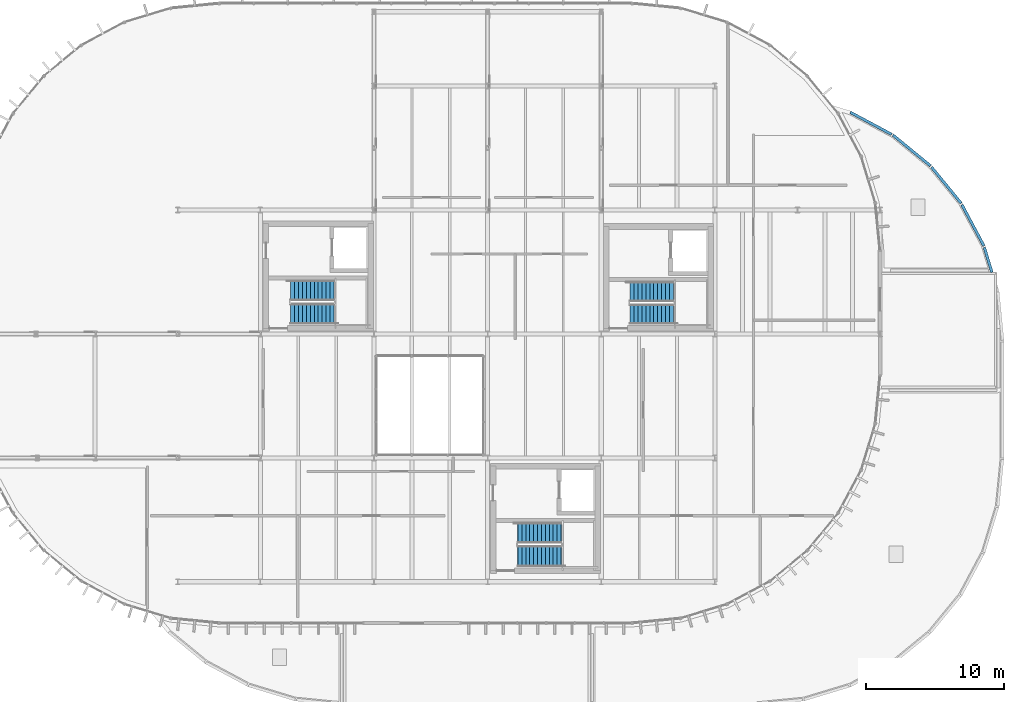
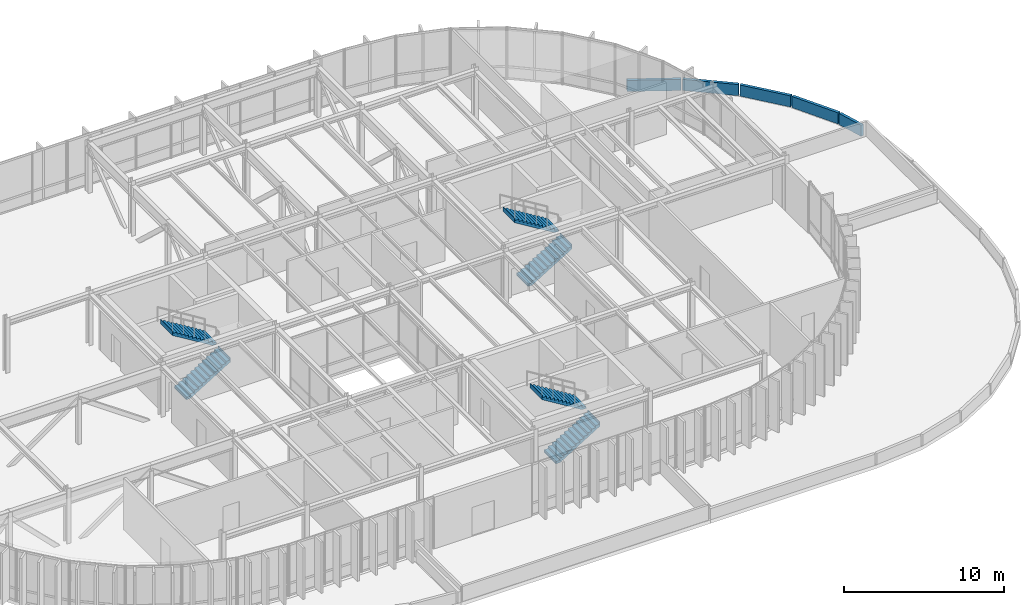
# One storey, part 24 of 29: 6 stair flights, 5 walls, 3 elements without a shape of their own.
"""IFC4 building model written with IfcOpenShell, lengths in metres."""

import ifcopenshell
import ifcopenshell.guid

model = None  # the IFC model being written
_history = None  # IfcOwnerHistory: only IFC2X3 demands one
_inside = {}  # id of a spatial element -> (the spatial element, [elements in it])
_under = {}  # id of a project, library or spatial element -> (it, [spatial elements below it])
_declared = {}  # id of a project -> (the project, [libraries it declares])
_typed = {}  # id of a type object -> (the type object, [elements of that type])
_made_of = {}  # id of a material, layer set ... -> (it, [elements and type objects made of it])


def new_model(schema):
    """Start an empty IFC model of exactly this schema.

    Asked for "IFC4X3", IfcOpenShell would pick the latest addendum, in which some entities
    have other attributes; the version numbers below select the first issue.
    IFC2X3 requires an IfcOwnerHistory on every rooted entity: one is made here for all.
    """
    global model, _history
    if schema == "IFC4X3":
        model = ifcopenshell.file(schema_version=(4, 3, 0, 0))
    else:
        model = ifcopenshell.file(schema=schema)
    _inside.clear()
    _under.clear()
    _declared.clear()
    _typed.clear()
    _made_of.clear()
    _history = None
    if model.schema == "IFC2X3":
        org = make("IfcOrganization", Name="unknown")
        user = make(
            "IfcPersonAndOrganization",
            ThePerson=make("IfcPerson", FamilyName="unknown"),
            TheOrganization=org,
        )
        app = make(
            "IfcApplication",
            ApplicationDeveloper=org,
            Version="unknown",
            ApplicationFullName="unknown",
            ApplicationIdentifier="unknown",
        )
        _history = make(
            "IfcOwnerHistory",
            OwningUser=user,
            OwningApplication=app,
            ChangeAction="ADDED",
            CreationDate=0,
        )
    return model


def make(cls, **values):
    """One entity of the class cls with the attributes given. An attribute that is None is left unset."""
    return model.create_entity(
        cls, **{name: value for name, value in values.items() if value is not None}
    )


def rooted(cls, **values):
    """An entity with a GlobalId (a new one), such as an element, a storey or a relation."""
    return make(cls, GlobalId=ifcopenshell.guid.new(), OwnerHistory=_history, **values)


def si_unit(unit_type, name, prefix=None):
    """IfcSIUnit, for example si_unit("LENGTHUNIT", "METRE", prefix="MILLI")."""
    return make("IfcSIUnit", UnitType=unit_type, Prefix=prefix, Name=name)


def assignment(units):
    """IfcUnitAssignment: the units of a project."""
    return None if units is None else make("IfcUnitAssignment", Units=units)


def point(xyz):
    """IfcCartesianPoint."""
    return None if xyz is None else make("IfcCartesianPoint", Coordinates=xyz)


def direction(xyz):
    """IfcDirection."""
    return None if xyz is None else make("IfcDirection", DirectionRatios=xyz)


def frame(location, z_axis=None, x_axis=None):
    """IfcAxis2Placement3D, a coordinate frame: its origin and axes. An axis left out is left unset."""
    return make(
        "IfcAxis2Placement3D",
        Location=point(location),
        Axis=direction(z_axis),
        RefDirection=direction(x_axis),
    )


def frame_2d(location, x_axis=None):
    """IfcAxis2Placement2D, a coordinate frame in the plane: its origin and x axis."""
    return make(
        "IfcAxis2Placement2D", Location=point(location), RefDirection=direction(x_axis)
    )


def origin():
    """The frame at (0, 0, 0) with its axes left unset."""
    return frame((0.0, 0.0, 0.0))


def place(relative_to, where):
    """IfcLocalPlacement: puts the frame where relative to a parent placement (None: the world)."""
    return make(
        "IfcLocalPlacement", PlacementRelTo=relative_to, RelativePlacement=where
    )


def context(
    kind, dimensions, precision=None, world=None, true_north=None, identifier=None
):
    """IfcGeometricRepresentationContext, for example the 3D "Model" context."""
    return make(
        "IfcGeometricRepresentationContext",
        ContextIdentifier=identifier,
        ContextType=kind,
        CoordinateSpaceDimension=dimensions,
        Precision=precision,
        WorldCoordinateSystem=world,
        TrueNorth=true_north,
    )


def subcontext(parent, identifier, kind, view, scale=None):
    """IfcGeometricRepresentationSubContext, for example "Body" below "Model"."""
    return make(
        "IfcGeometricRepresentationSubContext",
        ContextIdentifier=identifier,
        ContextType=kind,
        ParentContext=parent,
        TargetScale=scale,
        TargetView=view,
    )


def project(units=None, contexts=None):
    """IfcProject with its units and contexts."""
    return rooted(
        "IfcProject",
        Name="project",
        RepresentationContexts=contexts,
        UnitsInContext=assignment(units),
    )


def spatial(cls, under=None, at=None, **own):
    """A site, building, storey or space (cls), placed at a placement, below another one or the project."""
    s = rooted(cls, ObjectPlacement=at, **own)
    if under is not None:
        _under.setdefault(under.id(), (under, []))[1].append(s)
    return s


def polyline(points):
    """IfcPolyline through the points."""
    return make("IfcPolyline", Points=[point(p) for p in points])


def profile(cls, at=None, kind="AREA", **sizes):
    """A parametric profile (cls). Its sizes go by their IFC names, for example OverallWidth=200.0."""
    return make(cls, ProfileType=kind, Position=at, **sizes)


def rectangle(**sizes):
    """IfcRectangleProfileDef."""
    return profile("IfcRectangleProfileDef", **sizes)


def outline(outer, holes=None, kind="AREA"):
    """IfcArbitraryClosedProfileDef: a profile drawn as a closed curve; with holes, ...WithVoids."""
    if holes is None:
        return make("IfcArbitraryClosedProfileDef", ProfileType=kind, OuterCurve=outer)
    return make(
        "IfcArbitraryProfileDefWithVoids",
        ProfileType=kind,
        OuterCurve=outer,
        InnerCurves=holes,
    )


def extrude(swept, where, along, depth):
    """IfcExtrudedAreaSolid: the profile swept, set in the frame where, extruded along a direction by depth."""
    return make(
        "IfcExtrudedAreaSolid",
        SweptArea=swept,
        Position=where,
        ExtrudedDirection=direction(along),
        Depth=depth,
    )


def shape(context_of_items, identifier, shape_type, items):
    """IfcShapeRepresentation: the items that make up one representation, for example the "Body"."""
    return make(
        "IfcShapeRepresentation",
        ContextOfItems=context_of_items,
        RepresentationIdentifier=identifier,
        RepresentationType=shape_type,
        Items=items,
    )


def material(Name=None, Category=None):
    """IfcMaterial."""
    return make("IfcMaterial", Name=Name, Category=Category)


def layer(
    of_material, thickness, ventilated=None, Name=None, Category=None, Priority=None
):
    """IfcMaterialLayer: one layer of a wall or slab, of a material (None: an air gap)."""
    return make(
        "IfcMaterialLayer",
        Material=of_material,
        LayerThickness=thickness,
        IsVentilated=ventilated,
        Name=Name,
        Category=Category,
        Priority=Priority,
    )


def layer_set(layers, Name=None):
    """IfcMaterialLayerSet."""
    return make("IfcMaterialLayerSet", MaterialLayers=layers, LayerSetName=Name)


def made_of(thing, what):
    """Note that an element or type object is made of a material, layer set ...; save() writes the relation."""
    if what is not None:
        _made_of.setdefault(what.id(), (what, []))[1].append(thing)
    return thing


def type_object(cls, material=None, **own):
    """A type object (cls), such as IfcWallType, which elements share."""
    return made_of(rooted(cls, **own), material)


def element(
    cls,
    number,
    at=None,
    inside=None,
    cuts=None,
    type_object=None,
    material=None,
    context=None,
    identifier="Body",
    shape_type=None,
    held_by="IfcProductDefinitionShape",
    body=None,
    shapes=None,
    **own,
):
    """One element of the class cls, such as IfcWall. Its Tag is "e" and its number.

    at: its placement. inside: the storey or other place that contains it. cuts: it is an
    opening in that element (IfcRelVoidsElement). A single representation is given by context,
    identifier, shape_type and body (its items); several are given by shapes. held_by: the class
    of the entity that holds the representations. save() writes the other relations.
    """
    e = rooted(cls, Tag="e%d" % number, ObjectPlacement=at, **own)
    if body is not None:
        shapes = [shape(context, identifier, shape_type, body)]
    if shapes is not None:
        e.Representation = make(held_by, Representations=shapes)
    if inside is not None:
        _inside.setdefault(inside.id(), (inside, []))[1].append(e)
    if cuts is not None:
        rooted(
            "IfcRelVoidsElement", RelatingBuildingElement=cuts, RelatedOpeningElement=e
        )
    if type_object is not None:
        _typed.setdefault(type_object.id(), (type_object, []))[1].append(e)
    return made_of(e, material)


def aggregate(whole, parts):
    """IfcRelAggregates: a whole, such as a stair, and the parts it consists of."""
    return rooted("IfcRelAggregates", RelatingObject=whole, RelatedObjects=parts)


def save(model, path):
    """Write the relations noted so far, then the file.

    IfcRelAggregates (storeys below a building ...), IfcRelContainedInSpatialStructure (elements
    in a storey), IfcRelDefinesByType, IfcRelAssociatesMaterial and IfcRelDeclares: one each for
    every whole, place, type object, material and project.
    """
    for whole, parts in _under.values():
        aggregate(whole, parts)
    for where, things in _inside.values():
        rooted(
            "IfcRelContainedInSpatialStructure",
            RelatedElements=things,
            RelatingStructure=where,
        )
    for kind, things in _typed.values():
        rooted("IfcRelDefinesByType", RelatedObjects=things, RelatingType=kind)
    for what, things in _made_of.values():
        rooted("IfcRelAssociatesMaterial", RelatedObjects=things, RelatingMaterial=what)
    for by, libraries in _declared.values():
        rooted("IfcRelDeclares", RelatingContext=by, RelatedDefinitions=libraries)
    model.write(path)


model = new_model("IFC4")

# Units and contexts
model_context = context("Model", 3, precision=1e-05, world=origin(), true_north=direction((0.0, 1.0)))
body_context = subcontext(model_context, "Body", "Model", "MODEL_VIEW")
ifc_project = project(units=[si_unit("LENGTHUNIT", "METRE"), si_unit("AREAUNIT", "SQUARE_METRE"), si_unit("VOLUMEUNIT", "CUBIC_METRE"), si_unit("PLANEANGLEUNIT", "RADIAN"), si_unit("MASSUNIT", "GRAM", prefix="KILO")], contexts=[model_context])

# Site, building, storey
site_placement = place(None, origin())
site = spatial("IfcSite", under=ifc_project, at=site_placement, CompositionType="ELEMENT")
building_placement = place(site_placement, origin())
building = spatial("IfcBuilding", under=site, at=building_placement, Name="Montealbar Specialist Clinic", CompositionType="ELEMENT")
storey_placement = place(building_placement, frame((0.0, 0.0, 22.199951171875)))
storey = spatial("IfcBuildingStorey", under=building, at=storey_placement, Name="L05", CompositionType="ELEMENT", Elevation=22.199951171875)

# Walls
ifc_material_1 = material(Name="Precast concrete C40/50", Category="concrete")
ifc_layer = layer(ifc_material_1, 0.199951171875, Name="Precast concrete C40/50", Category="concrete")
ifc_layer_set = layer_set([ifc_layer], Name="Precast concrete C40/50")
wall_type = type_object("IfcWallType", Name="WL-PARAPET-200", PredefinedType="PARAPET", material=ifc_layer_set)
wall_1_placement = place(storey_placement, frame((111.93701171875, 41.43896484375, 0.0), z_axis=(0.0, 0.0, 1.0), x_axis=(0.773121216285, -0.634258295121, 0.0)))
element("IfcWall", 1, at=wall_1_placement, inside=storey, type_object=wall_type, Name="Roof Parapet L05-063", PredefinedType="PARAPET", context=body_context, shape_type="SweptSolid", body=[
    extrude(rectangle(XDim=3.528564453125, YDim=0.199951171875, at=frame_2d((1.76416015625, 0.0))), origin(), (0.0, 0.0, 1.0), 0.85009765625),
])
wall_2_placement = place(storey_placement, frame((114.738037109375, 39.10888671875, 0.0), z_axis=(0.0, 0.0, 1.0), x_axis=(0.634252622589, -0.773125869919, 0.0)))
element("IfcWall", 2, at=wall_2_placement, inside=storey, type_object=wall_type, Name="Roof Parapet L05-064", PredefinedType="PARAPET", context=body_context, shape_type="SweptSolid", body=[
    extrude(rectangle(XDim=3.39111328125, YDim=0.199951171875, at=frame_2d((1.695556640625, 0.0))), origin(), (0.0, 0.0, 1.0), 0.85009765625),
])
wall_3_placement = place(storey_placement, frame((116.943115234375, 36.382080078125, 0.0), z_axis=(0.0, 0.0, 1.0), x_axis=(0.471436157161, -0.881900192607, 0.0)))
element("IfcWall", 3, at=wall_3_placement, inside=storey, type_object=wall_type, Name="Roof Parapet L05-065", PredefinedType="PARAPET", context=body_context, shape_type="SweptSolid", body=[
    extrude(rectangle(XDim=3.3916015625, YDim=0.199951171875, at=frame_2d((1.69580078125, 0.0))), origin(), (0.0, 0.0, 1.0), 0.85009765625),
])
wall_4_placement = place(storey_placement, frame((118.573974609375, 33.278076171875, 0.0), z_axis=(0.0, 0.0, 1.0), x_axis=(0.290240618215, -0.956953699788, 0.0)))
element("IfcWall", 4, at=wall_4_placement, inside=storey, type_object=wall_type, Name="Roof Parapet L05-066", PredefinedType="PARAPET", context=body_context, shape_type="SweptSolid", body=[
    extrude(rectangle(XDim=1.888427734375, YDim=0.199951171875, at=frame_2d((0.9443359375, 0.0))), origin(), (0.0, 0.0, 1.0), 0.85009765625),
])
wall_5_placement = place(storey_placement, frame((108.841064453125, 43.092041015625, 0.0), z_axis=(0.0, 0.0, 1.0), x_axis=(0.881870262983, -0.471492141257, 0.0)))
element("IfcWall", 5, at=wall_5_placement, inside=storey, type_object=wall_type, Name="Roof Parapet L05-068", PredefinedType="PARAPET", context=body_context, shape_type="SweptSolid", body=[
    extrude(rectangle(XDim=3.3916015625, YDim=0.199951171875, at=frame_2d((1.69580078125, 0.0))), origin(), (0.0, 0.0, 1.0), 0.85009765625),
])

# Stair, stair flights
ifc_material_2 = material(Name="Concrete C35/45", Category="concrete")
stair_type_1 = type_object("IfcStairType", Name="STAIR-HT-07", PredefinedType="HALF_TURN_STAIR", material=ifc_material_2)
stair_1_placement = place(storey_placement, origin())
stair_1 = element("IfcStair", 6, at=stair_1_placement, inside=storey, type_object=stair_type_1, Name="L05 Protected Exit Stair Core C3", PredefinedType="HALF_TURN_STAIR")
stair_flight_type_1 = type_object("IfcStairFlightType", Name="FLIGHT-HT-07", PredefinedType="STRAIGHT", material=ifc_material_2)
stair_flight_1_placement = place(storey_placement, frame((68.199951171875, 28.449951171875, 0.0), z_axis=(0.0, 0.0, 1.0), x_axis=(1.0, 0.0, 0.0)))
stair_flight_1 = element("IfcStairFlight", 7, at=stair_flight_1_placement, type_object=stair_flight_type_1, Name="ST-03 flight 1", NumberOfRisers=12, NumberOfTreads=11, PredefinedType="STRAIGHT", RiserHeight=0.175, TreadLength=0.285, context=body_context, shape_type="SweptSolid", body=[
    extrude(outline(polyline([(-0.02490234375, 0.0), (-0.02490234375, 0.0400390625), (0.0, 0.0400390625), (0.0, 0.175048828125), (0.284912109375, 0.175048828125), (0.284912109375, 0.35009765625), (0.570068359375, 0.35009765625), (0.570068359375, 0.52490234375), (0.85498046875, 0.52490234375), (0.85498046875, 0.699951171875), (1.139892578125, 0.699951171875), (1.139892578125, 0.875), (1.425048828125, 0.875), (1.425048828125, 1.050048828125), (1.7099609375, 1.050048828125), (1.7099609375, 1.22509765625), (1.9951171875, 1.22509765625), (1.9951171875, 1.39990234375), (2.280029296875, 1.39990234375), (2.280029296875, 1.574951171875), (2.56494140625, 1.574951171875), (2.56494140625, 1.75), (2.85009765625, 1.75), (2.85009765625, 1.925048828125), (3.135009765625, 1.925048828125), (3.135009765625, 2.10009765625), (3.159912109375, 2.10009765625), (3.159912109375, 1.7490234375), (3.135009765625, 1.7490234375), (0.286376953125, 0.0), (-0.02490234375, 0.0)])), frame((0.0, 0.75, 0.0), z_axis=(0.0, -1.0, 0.0), x_axis=(1.0, 0.0, 0.0)), (0.0, 0.0, 1.0), 1.5),
])
stair_flight_2_placement = place(storey_placement, frame((71.3349609375, 30.14990234375, 2.10009765625), z_axis=(0.0, 0.0, 1.0), x_axis=(-1.0, 0.0, 0.0)))
stair_flight_2 = element("IfcStairFlight", 8, at=stair_flight_2_placement, type_object=stair_flight_type_1, Name="ST-03 flight 2", NumberOfRisers=12, NumberOfTreads=11, PredefinedType="STRAIGHT", RiserHeight=0.175, TreadLength=0.285, context=body_context, shape_type="SweptSolid", body=[
    extrude(outline(polyline([(-0.02490234375, 0.0), (-0.02490234375, 0.0400390625), (0.0, 0.0400390625), (0.0, 0.175048828125), (0.284912109375, 0.175048828125), (0.284912109375, 0.35009765625), (0.570068359375, 0.35009765625), (0.570068359375, 0.52490234375), (0.85498046875, 0.52490234375), (0.85498046875, 0.699951171875), (1.139892578125, 0.699951171875), (1.139892578125, 0.875), (1.425048828125, 0.875), (1.425048828125, 1.050048828125), (1.7099609375, 1.050048828125), (1.7099609375, 1.22509765625), (1.9951171875, 1.22509765625), (1.9951171875, 1.39990234375), (2.280029296875, 1.39990234375), (2.280029296875, 1.574951171875), (2.56494140625, 1.574951171875), (2.56494140625, 1.75), (2.85009765625, 1.75), (2.85009765625, 1.925048828125), (3.135009765625, 1.925048828125), (3.135009765625, 2.10009765625), (3.159912109375, 2.10009765625), (3.159912109375, 1.7490234375), (3.135009765625, 1.7490234375), (0.286376953125, 0.0), (-0.02490234375, 0.0)])), frame((0.0, 0.75, 0.0), z_axis=(0.0, -1.0, 0.0), x_axis=(1.0, 0.0, 0.0)), (0.0, 0.0, 1.0), 1.5),
])
aggregate(stair_1, [stair_flight_1, stair_flight_2])

stair_2_placement = place(storey_placement, origin())
stair_2 = element("IfcStair", 9, at=stair_2_placement, inside=storey, type_object=stair_type_1, Name="L05 Protected Exit Stair Core C4", PredefinedType="HALF_TURN_STAIR")
stair_flight_3_placement = place(storey_placement, frame((84.699951171875, 10.85009765625, 0.0), z_axis=(0.0, 0.0, 1.0), x_axis=(1.0, 0.0, 0.0)))
stair_flight_3 = element("IfcStairFlight", 10, at=stair_flight_3_placement, type_object=stair_flight_type_1, Name="ST-04 flight 1", NumberOfRisers=12, NumberOfTreads=11, PredefinedType="STRAIGHT", RiserHeight=0.175, TreadLength=0.285, context=body_context, shape_type="SweptSolid", body=[
    extrude(outline(polyline([(-0.02490234375, 0.0), (-0.02490234375, 0.0400390625), (0.0, 0.0400390625), (0.0, 0.175048828125), (0.284912109375, 0.175048828125), (0.284912109375, 0.35009765625), (0.570068359375, 0.35009765625), (0.570068359375, 0.52490234375), (0.85498046875, 0.52490234375), (0.85498046875, 0.699951171875), (1.139892578125, 0.699951171875), (1.139892578125, 0.875), (1.425048828125, 0.875), (1.425048828125, 1.050048828125), (1.7099609375, 1.050048828125), (1.7099609375, 1.22509765625), (1.9951171875, 1.22509765625), (1.9951171875, 1.39990234375), (2.280029296875, 1.39990234375), (2.280029296875, 1.574951171875), (2.56494140625, 1.574951171875), (2.56494140625, 1.75), (2.85009765625, 1.75), (2.85009765625, 1.925048828125), (3.135009765625, 1.925048828125), (3.135009765625, 2.10009765625), (3.159912109375, 2.10009765625), (3.159912109375, 1.7490234375), (3.135009765625, 1.7490234375), (0.286376953125, 0.0), (-0.02490234375, 0.0)])), frame((0.0, 0.75, 0.0), z_axis=(0.0, -1.0, 0.0), x_axis=(1.0, 0.0, 0.0)), (0.0, 0.0, 1.0), 1.5),
])
stair_flight_4_placement = place(storey_placement, frame((87.8349609375, 12.550048828125, 2.10009765625), z_axis=(0.0, 0.0, 1.0), x_axis=(-1.0, 0.0, 0.0)))
stair_flight_4 = element("IfcStairFlight", 11, at=stair_flight_4_placement, type_object=stair_flight_type_1, Name="ST-04 flight 2", NumberOfRisers=12, NumberOfTreads=11, PredefinedType="STRAIGHT", RiserHeight=0.175, TreadLength=0.285, context=body_context, shape_type="SweptSolid", body=[
    extrude(outline(polyline([(-0.02490234375, 0.0), (-0.02490234375, 0.0400390625), (0.0, 0.0400390625), (0.0, 0.175048828125), (0.284912109375, 0.175048828125), (0.284912109375, 0.35009765625), (0.570068359375, 0.35009765625), (0.570068359375, 0.52490234375), (0.85498046875, 0.52490234375), (0.85498046875, 0.699951171875), (1.139892578125, 0.699951171875), (1.139892578125, 0.875), (1.425048828125, 0.875), (1.425048828125, 1.050048828125), (1.7099609375, 1.050048828125), (1.7099609375, 1.22509765625), (1.9951171875, 1.22509765625), (1.9951171875, 1.39990234375), (2.280029296875, 1.39990234375), (2.280029296875, 1.574951171875), (2.56494140625, 1.574951171875), (2.56494140625, 1.75), (2.85009765625, 1.75), (2.85009765625, 1.925048828125), (3.135009765625, 1.925048828125), (3.135009765625, 2.10009765625), (3.159912109375, 2.10009765625), (3.159912109375, 1.7490234375), (3.135009765625, 1.7490234375), (0.286376953125, 0.0), (-0.02490234375, 0.0)])), frame((0.0, 0.75, 0.0), z_axis=(0.0, -1.0, 0.0), x_axis=(1.0, 0.0, 0.0)), (0.0, 0.0, 1.0), 1.5),
])
aggregate(stair_2, [stair_flight_3, stair_flight_4])

stair_type_2 = type_object("IfcStairType", Name="STAIR-HT-08", PredefinedType="HALF_TURN_STAIR", material=ifc_material_2)
stair_3_placement = place(storey_placement, origin())
stair_3 = element("IfcStair", 12, at=stair_3_placement, inside=storey, type_object=stair_type_2, Name="L05 Protected Exit Stair Core C5", PredefinedType="HALF_TURN_STAIR")
stair_flight_type_2 = type_object("IfcStairFlightType", Name="FLIGHT-HT-08", PredefinedType="STRAIGHT", material=ifc_material_2)
stair_flight_5_placement = place(storey_placement, frame((92.85009765625, 28.425048828125, 0.0), z_axis=(0.0, 0.0, 1.0), x_axis=(1.0, 0.0, 0.0)))
stair_flight_5 = element("IfcStairFlight", 13, at=stair_flight_5_placement, type_object=stair_flight_type_2, Name="ST-05 flight 1", NumberOfRisers=12, NumberOfTreads=11, PredefinedType="STRAIGHT", RiserHeight=0.175, TreadLength=0.285, context=body_context, shape_type="SweptSolid", body=[
    extrude(outline(polyline([(-0.02490234375, 0.0), (-0.02490234375, 0.0400390625), (0.0, 0.0400390625), (0.0, 0.175048828125), (0.284912109375, 0.175048828125), (0.284912109375, 0.35009765625), (0.570068359375, 0.35009765625), (0.570068359375, 0.52490234375), (0.85498046875, 0.52490234375), (0.85498046875, 0.699951171875), (1.139892578125, 0.699951171875), (1.139892578125, 0.875), (1.425048828125, 0.875), (1.425048828125, 1.050048828125), (1.7099609375, 1.050048828125), (1.7099609375, 1.22509765625), (1.9951171875, 1.22509765625), (1.9951171875, 1.39990234375), (2.280029296875, 1.39990234375), (2.280029296875, 1.574951171875), (2.56494140625, 1.574951171875), (2.56494140625, 1.75), (2.85009765625, 1.75), (2.85009765625, 1.925048828125), (3.135009765625, 1.925048828125), (3.135009765625, 2.10009765625), (3.159912109375, 2.10009765625), (3.159912109375, 1.7490234375), (3.135009765625, 1.7490234375), (0.286376953125, 0.0), (-0.02490234375, 0.0)])), frame((0.0, 0.72509765625, 0.0), z_axis=(0.0, -1.0, 0.0), x_axis=(1.0, 0.0, 0.0)), (0.0, 0.0, 1.0), 1.449951171875),
])
stair_flight_6_placement = place(storey_placement, frame((95.985107421875, 30.074951171875, 2.10009765625), z_axis=(0.0, 0.0, 1.0), x_axis=(-1.0, 0.0, 0.0)))
stair_flight_6 = element("IfcStairFlight", 14, at=stair_flight_6_placement, type_object=stair_flight_type_2, Name="ST-05 flight 2", NumberOfRisers=12, NumberOfTreads=11, PredefinedType="STRAIGHT", RiserHeight=0.175, TreadLength=0.285, context=body_context, shape_type="SweptSolid", body=[
    extrude(outline(polyline([(-0.02490234375, 0.0), (-0.02490234375, 0.0400390625), (0.0, 0.0400390625), (0.0, 0.175048828125), (0.284912109375, 0.175048828125), (0.284912109375, 0.35009765625), (0.570068359375, 0.35009765625), (0.570068359375, 0.52490234375), (0.85498046875, 0.52490234375), (0.85498046875, 0.699951171875), (1.139892578125, 0.699951171875), (1.139892578125, 0.875), (1.425048828125, 0.875), (1.425048828125, 1.050048828125), (1.7099609375, 1.050048828125), (1.7099609375, 1.22509765625), (1.9951171875, 1.22509765625), (1.9951171875, 1.39990234375), (2.280029296875, 1.39990234375), (2.280029296875, 1.574951171875), (2.56494140625, 1.574951171875), (2.56494140625, 1.75), (2.85009765625, 1.75), (2.85009765625, 1.925048828125), (3.135009765625, 1.925048828125), (3.135009765625, 2.10009765625), (3.159912109375, 2.10009765625), (3.159912109375, 1.7490234375), (3.135009765625, 1.7490234375), (0.286376953125, 0.0), (-0.02490234375, 0.0)])), frame((0.0, 0.72509765625, 0.0), z_axis=(0.0, -1.0, 0.0), x_axis=(1.0, 0.0, 0.0)), (0.0, 0.0, 1.0), 1.449951171875),
])
aggregate(stair_3, [stair_flight_5, stair_flight_6])

save(model, "model.ifc")
